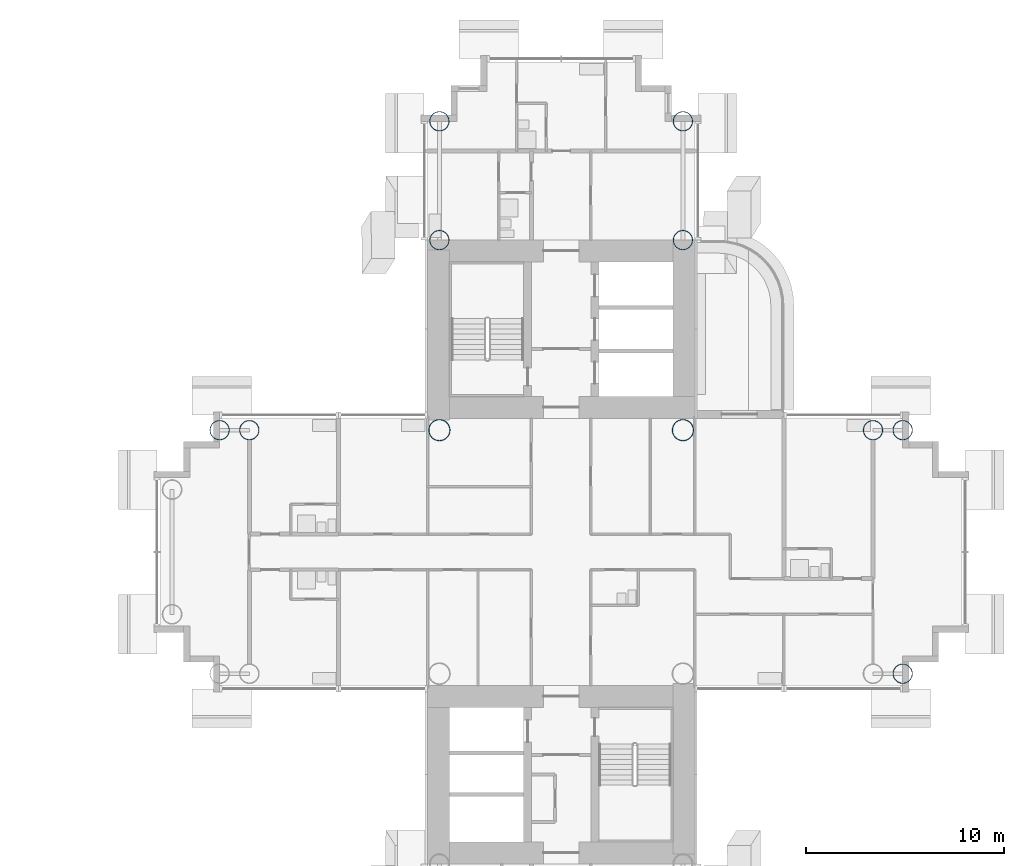
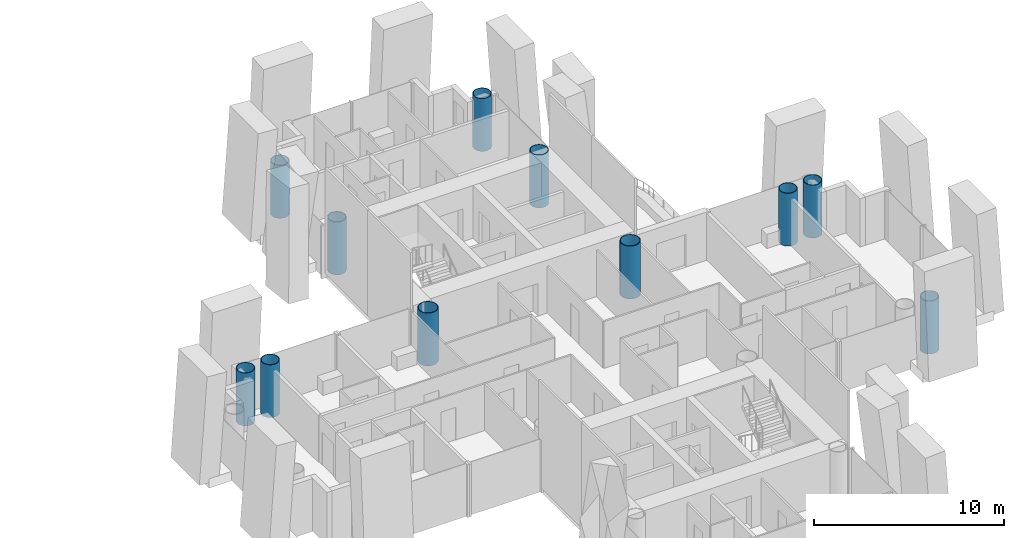
# One storey, part 2 of 24: 11 columns.
"""IFC4 building model written with IfcOpenShell, lengths in metres."""

from ifc_helpers import new_model, si_unit, direction, frame, origin, origin_2d, place, context, subcontext, project, spatial, hollow_circle, extrude, material, material_profile, profile_set, type_object, element, save


model = new_model("IFC4")

# Units and contexts
model_context = context("Model", 3, precision=1e-05, world=origin(), true_north=direction((0.0, 1.0)))
body_context = subcontext(model_context, "Body", "Model", "MODEL_VIEW")
ifc_project = project(units=[si_unit("LENGTHUNIT", "METRE"), si_unit("AREAUNIT", "SQUARE_METRE"), si_unit("VOLUMEUNIT", "CUBIC_METRE"), si_unit("PLANEANGLEUNIT", "RADIAN"), si_unit("MASSUNIT", "GRAM", prefix="KILO")], contexts=[model_context])

# Site, building, storey
site_placement = place(None, origin())
site = spatial("IfcSite", under=ifc_project, at=site_placement, CompositionType="ELEMENT")
building_placement = place(site_placement, origin())
building = spatial("IfcBuilding", under=site, at=building_placement, Name="Ipe Terrace Towers", CompositionType="ELEMENT")
storey_placement = place(building_placement, frame((0.0, 0.0, 38.10009765625)))
storey = spatial("IfcBuildingStorey", under=building, at=storey_placement, Name="L09", CompositionType="ELEMENT", Elevation=38.10009765625)

# Columns
ifc_material_1 = material(Name="Steel S355 tube with Concrete C60/75 fill", Category="concrete")
ifc_material_profile_1 = material_profile(ifc_material_1, hollow_circle(Radius=0.5, WallThickness=0.035888671875, at=origin_2d()), Name="CHS-1000x36")
ifc_profile_set_1 = profile_set([ifc_material_profile_1], Name="Steel S355 tube with Concrete C60/75 fill")
column_type_1 = type_object("IfcColumnType", Name="CH01 COLUMN CHS-1000x36", PredefinedType="COLUMN", material=ifc_profile_set_1)
for number, where, z_axis, x_axis, name in (
    (1, (42.14990234375, 15.75, 0.0), (0.0, 0.0, 1.0), (1.0, 0.0, 0.0), "Column T2-C-A01"),
    (2, (29.85009765625, 15.75, 0.0), (0.0, 0.0, 1.0), (1.0, 0.0, 0.0), "Column T2-C-A02"),
    (3, (42.14990234375, 21.75, 0.0), (0.0, 0.0, 1.0), (1.0, 0.0, 0.0), "Column T2-C-A03"),
    (4, (29.85009765625, 21.75, 0.0), (0.0, 0.0, 1.0), (1.0, 0.0, 0.0), "Column T2-C-A04"),
    (5, (20.25, 6.14990234375, 0.0), (0.0, 0.0, 1.0), (1.0, 0.0, 0.0), "Column T2-C-B03"),
    (6, (18.75, 6.14990234375, 0.0), (0.0, 0.0, 1.0), (1.0, 0.0, 0.0), "Column T2-C-B05"),
    (7, (51.75, 6.14990234375, 0.0), (0.0, 0.0, 1.0), (1.0, 0.0, 0.0), "Column T2-C-D04"),
    (8, (53.25, -6.14990234375, 0.0), (0.0, 0.0, 1.0), (1.0, 0.0, 0.0), "Column T2-C-D05"),
    (9, (53.25, 6.14990234375, 0.0), (0.0, 0.0, 1.0), (1.0, 0.0, 0.0), "Column T2-C-D06"),
):
    element("IfcColumn", number, at=place(storey_placement, frame(where, z_axis=z_axis, x_axis=x_axis)), inside=storey, type_object=column_type_1, Name=name, PredefinedType="COLUMN", context=body_context, shape_type="SweptSolid", body=[
        extrude(hollow_circle(Radius=0.5, WallThickness=0.035888671875, at=origin_2d()), origin(), (0.0, 0.0, 1.0), 3.39990234375),
    ])
ifc_material_2 = material(Name="Steel S355 tube with Concrete C60/75 fill", Category="concrete")
ifc_material_profile_2 = material_profile(ifc_material_2, hollow_circle(Radius=0.550048828125, WallThickness=0.0400390625, at=origin_2d()), Name="CHS-1100x40")
ifc_profile_set_2 = profile_set([ifc_material_profile_2], Name="Steel S355 tube with Concrete C60/75 fill")
column_type_2 = type_object("IfcColumnType", Name="CH02 COLUMN CHS-1100x40", PredefinedType="COLUMN", material=ifc_profile_set_2)
for number, where, z_axis, x_axis, name in (
    (10, (42.14990234375, 6.14990234375, 0.0), (0.0, 0.0, 1.0), (1.0, 0.0, 0.0), "Column T2-C-E02"),
    (11, (29.85009765625, 6.14990234375, 0.0), (0.0, 0.0, 1.0), (1.0, 0.0, 0.0), "Column T2-C-E03"),
):
    element("IfcColumn", number, at=place(storey_placement, frame(where, z_axis=z_axis, x_axis=x_axis)), inside=storey, type_object=column_type_2, Name=name, PredefinedType="COLUMN", context=body_context, shape_type="SweptSolid", body=[
        extrude(hollow_circle(Radius=0.550048828125, WallThickness=0.0400390625, at=origin_2d()), origin(), (0.0, 0.0, 1.0), 3.39990234375),
    ])

save(model, "model.ifc")
